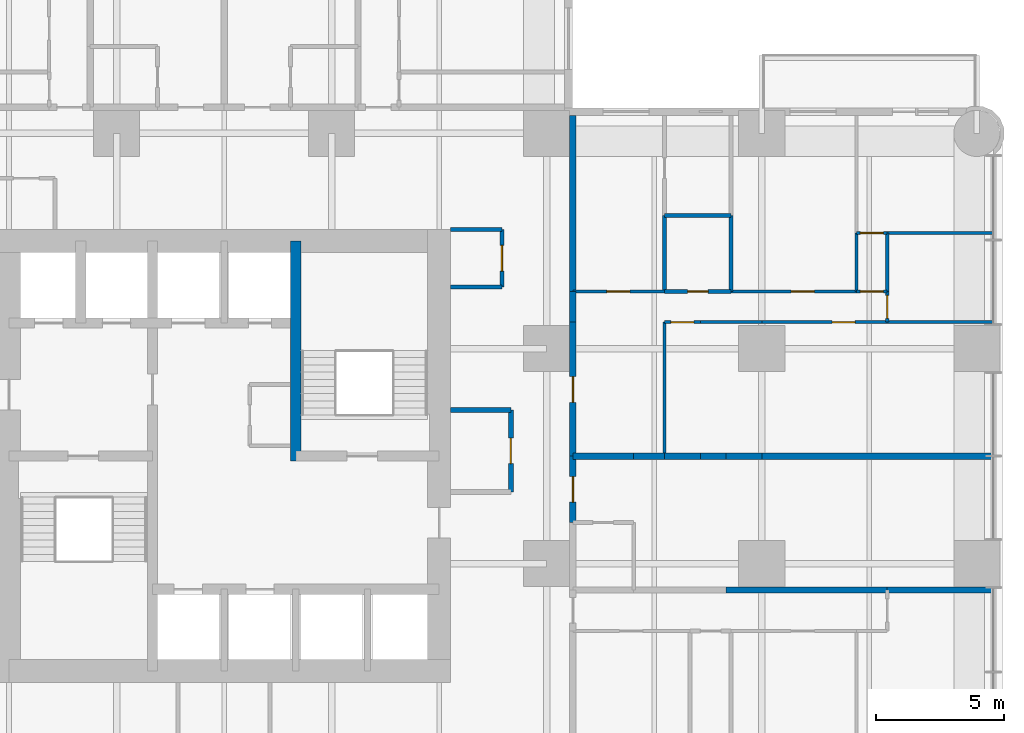
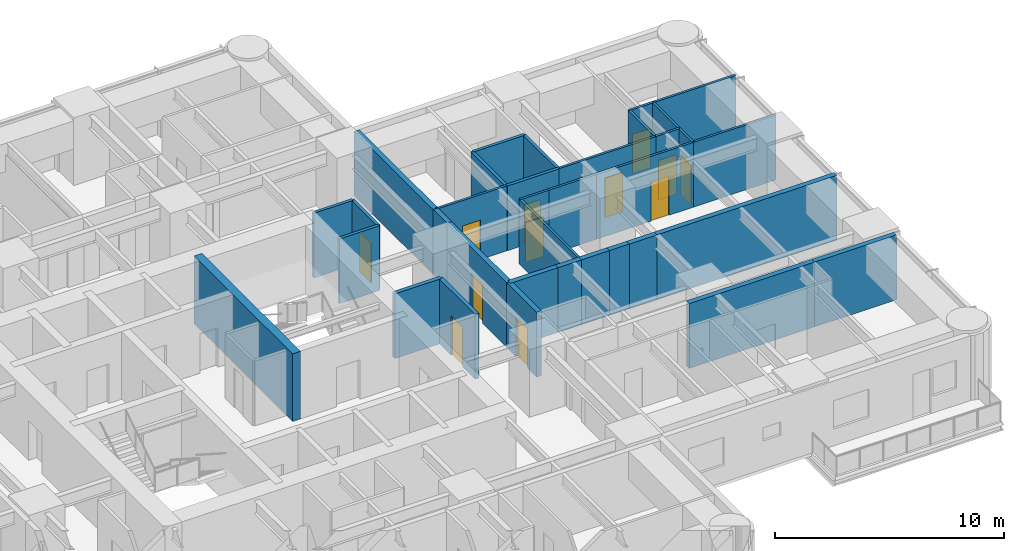
# One storey, part 10 of 14: 35 walls, 12 doors, 12 openings.
"""IFC4 building model written with IfcOpenShell, lengths in metres."""

from ifc_helpers import new_model, si_unit, direction, frame, frame_2d, origin, place, context, subcontext, project, spatial, rectangle, extrude, material, layer, layer_set, type_object, element, fill, save


model = new_model("IFC4")

# Units and contexts
model_context = context("Model", 3, precision=1e-05, world=origin(), true_north=direction((0.0, 1.0)))
body_context = subcontext(model_context, "Body", "Model", "MODEL_VIEW")
ifc_project = project(units=[si_unit("LENGTHUNIT", "METRE"), si_unit("AREAUNIT", "SQUARE_METRE"), si_unit("VOLUMEUNIT", "CUBIC_METRE"), si_unit("PLANEANGLEUNIT", "RADIAN"), si_unit("MASSUNIT", "GRAM", prefix="KILO")], contexts=[model_context])

# Site, building, storey
site_placement = place(None, origin())
site = spatial("IfcSite", under=ifc_project, at=site_placement, CompositionType="ELEMENT")
building_placement = place(site_placement, origin())
building = spatial("IfcBuilding", under=site, at=building_placement, Name="Torre Alcanfor", CompositionType="ELEMENT")
storey_placement = place(building_placement, frame((0.0, 0.0, 170.10009765625)))
storey = spatial("IfcBuildingStorey", under=building, at=storey_placement, Name="L44", CompositionType="ELEMENT", Elevation=170.10009765625)

# Wall, opening, door
ifc_material_1 = material(Name="Concrete block masonry, hollow blocks NMX-C-404 9 MPa", Category="masonry")
ifc_layer_1 = layer(ifc_material_1, 0.25)
ifc_layer_set_1 = layer_set([ifc_layer_1], Name="Apartment entrance wall 250 EI 60")
wall_type_1 = type_object("IfcWallType", Name="Apartment entrance wall 250 EI 60", PredefinedType="PARTITIONING", material=ifc_layer_set_1)
wall_1_placement = place(storey_placement, frame((43.02490234375, 34.62890625, 0.0), z_axis=(0.0, 0.0, 1.0), x_axis=(0.0, -1.0, 0.0)))
wall_1 = element("IfcWall", 1, at=wall_1_placement, inside=storey, type_object=wall_type_1, Name="Partition L44-CORR / L44-E1-ZAG", PredefinedType="PARTITIONING", context=body_context, shape_type="SweptSolid", body=[
    extrude(rectangle(XDim=5.22900390625, YDim=0.25, at=frame_2d((2.614501953125, 0.0))), origin(), (0.0, 0.0, 1.0), 3.449951171875),
])
opening_1_placement = place(wall_1_placement, frame((2.12890625, 0.0, 0.0)))
opening_1 = element("IfcOpeningElement", 2, at=opening_1_placement, cuts=wall_1, Name="Opening D-A1", PredefinedType="OPENING", context=body_context, shape_type="SweptSolid", body=[
    extrude(rectangle(XDim=1.0, YDim=2.10009765625, at=frame_2d((0.5, 1.050048828125))), frame((0.0, 0.135009765625, 0.0), z_axis=(0.0, -1.0, 0.0), x_axis=(1.0, 0.0, 0.0)), (0.0, 0.0, 1.0), 0.27001953125),
])
ifc_material_2 = material(Name="Galvanised steel sheet ASTM A653", Category="steel")
door_type_1 = type_object("IfcDoorType", Name="Apartment entrance door FD60 1000x2100", OperationType="SINGLE_SWING_LEFT", PredefinedType="DOOR", material=ifc_material_2)
door_1_placement = place(opening_1_placement, origin())
door_1 = element("IfcDoor", 3, at=door_1_placement, inside=storey, type_object=door_type_1, Name="Apartment entrance L44-E1", OperationType="SINGLE_SWING_RIGHT", OverallHeight=2.10009765625, OverallWidth=1.0, PredefinedType="DOOR", context=body_context, shape_type="SweptSolid", body=[
    extrude(rectangle(XDim=1.0, YDim=2.10009765625, at=frame_2d((0.5, 1.050048828125))), frame((0.0, 0.02490234375, 0.0), z_axis=(0.0, -1.0, 0.0), x_axis=(1.0, 0.0, 0.0)), (0.0, 0.0, 1.0), 0.050048828125),
])
fill(opening_1, door_1)

# Walls
wall_2_placement = place(storey_placement, frame((43.02490234375, 35.8291015625, 0.0), z_axis=(0.0, 0.0, 1.0), x_axis=(0.0, -1.0, 0.0)))
element("IfcWall", 4, at=wall_2_placement, inside=storey, type_object=wall_type_1, Name="Partition L44-CORR / L44-E1-HALL", PredefinedType="PARTITIONING", context=body_context, shape_type="SweptSolid", body=[
    extrude(rectangle(XDim=1.2001953125, YDim=0.25, at=frame_2d((0.60009765625, 0.0))), origin(), (0.0, 0.0, 1.0), 3.449951171875),
])
wall_3_placement = place(storey_placement, frame((43.02490234375, 42.699951171875, 0.0), z_axis=(0.0, 0.0, 1.0), x_axis=(0.0, -1.0, 0.0)))
element("IfcWall", 5, at=wall_3_placement, inside=storey, type_object=wall_type_1, Name="Partition L44-CORR / L44-E1-SERV", PredefinedType="PARTITIONING", context=body_context, shape_type="SweptSolid", body=[
    extrude(rectangle(XDim=6.870849609375, YDim=0.25, at=frame_2d((3.435546875, 0.0))), origin(), (0.0, 0.0, 1.0), 3.449951171875),
])

# Wall, opening, door
wall_4_placement = place(storey_placement, frame((43.02490234375, 29.39990234375, 0.0), z_axis=(0.0, 0.0, 1.0), x_axis=(0.0, -1.0, 0.0)))
wall_4 = element("IfcWall", 6, at=wall_4_placement, inside=storey, type_object=wall_type_1, Name="Partition L44-CORR / L44-E2A-FOYER", PredefinedType="PARTITIONING", context=body_context, shape_type="SweptSolid", body=[
    extrude(rectangle(XDim=2.599853515625, YDim=0.25, at=frame_2d((1.2998046875, 0.0))), origin(), (0.0, 0.0, 1.0), 3.449951171875),
])
opening_2_placement = place(wall_4_placement, frame((0.800048828125, 0.0, 0.0)))
opening_2 = element("IfcOpeningElement", 7, at=opening_2_placement, cuts=wall_4, Name="Opening D-A1", PredefinedType="OPENING", context=body_context, shape_type="SweptSolid", body=[
    extrude(rectangle(XDim=1.0, YDim=2.10009765625, at=frame_2d((0.5, 1.050048828125))), frame((0.0, 0.135009765625, 0.0), z_axis=(0.0, -1.0, 0.0), x_axis=(1.0, 0.0, 0.0)), (0.0, 0.0, 1.0), 0.27001953125),
])
door_2_placement = place(opening_2_placement, origin())
door_2 = element("IfcDoor", 8, at=door_2_placement, inside=storey, type_object=door_type_1, Name="Apartment entrance L44-E2A", OperationType="SINGLE_SWING_LEFT", OverallHeight=2.10009765625, OverallWidth=1.0, PredefinedType="DOOR", context=body_context, shape_type="SweptSolid", body=[
    extrude(rectangle(XDim=1.0, YDim=2.10009765625, at=frame_2d((0.5, 1.050048828125))), frame((0.0, 0.02490234375, 0.0), z_axis=(0.0, -1.0, 0.0), x_axis=(1.0, 0.0, 0.0)), (0.0, 0.0, 1.0), 0.050048828125),
])
fill(opening_2, door_2)

# Wall
ifc_material_3 = material(Name="Gypsum board on steel studs", Category="steel")
ifc_layer_2 = layer(ifc_material_3, 0.1201171875)
ifc_layer_set_2 = layer_set([ifc_layer_2], Name="Apartment partition 120")
wall_type_2 = type_object("IfcWallType", Name="Apartment partition 120", PredefinedType="PARTITIONING", material=ifc_layer_set_2)
wall_5_placement = place(storey_placement, frame((46.60009765625, 29.39990234375, 0.0), z_axis=(0.0, 0.0, 1.0), x_axis=(0.0, 1.0, 0.0)))
element("IfcWall", 9, at=wall_5_placement, inside=storey, type_object=wall_type_2, Name="Partition L44-E1-ZAG / L44-E1-LAUND", PredefinedType="PARTITIONING", context=body_context, shape_type="SweptSolid", body=[
    extrude(rectangle(XDim=5.22900390625, YDim=0.1201171875, at=frame_2d((2.614501953125, 0.0))), origin(), (0.0, 0.0, 1.0), 3.449951171875),
])

# Wall, opening, door
wall_6_placement = place(storey_placement, frame((48.0, 34.62890625, 0.0), z_axis=(0.0, 0.0, 1.0), x_axis=(-1.0, 0.0, 0.0)))
wall_6 = element("IfcWall", 10, at=wall_6_placement, inside=storey, type_object=wall_type_2, Name="Partition L44-E1-LAUND / L44-E1-HALL", PredefinedType="PARTITIONING", context=body_context, shape_type="SweptSolid", body=[
    extrude(rectangle(XDim=1.39990234375, YDim=0.1201171875, at=frame_2d((0.699951171875, 0.0))), origin(), (0.0, 0.0, 1.0), 3.449951171875),
])
opening_3_placement = place(wall_6_placement, frame((0.25, 0.0, 0.0)))
opening_3 = element("IfcOpeningElement", 11, at=opening_3_placement, cuts=wall_6, Name="Opening D-R1", PredefinedType="OPENING", context=body_context, shape_type="SweptSolid", body=[
    extrude(rectangle(XDim=0.89990234375, YDim=2.10009765625, at=frame_2d((0.449951171875, 1.050048828125))), frame((0.0, 0.070068359375, 0.0), z_axis=(0.0, -1.0, 0.0), x_axis=(1.0, 0.0, 0.0)), (0.0, 0.0, 1.0), 0.14013671875),
])
ifc_material_4 = material(Name="Timber", Category="wood")
door_type_2 = type_object("IfcDoorType", Name="Internal door 900x2100", OperationType="SINGLE_SWING_LEFT", PredefinedType="DOOR", material=ifc_material_4)
door_3_placement = place(opening_3_placement, origin())
door_3 = element("IfcDoor", 12, at=door_3_placement, inside=storey, type_object=door_type_2, Name="Door L44-E1 laund", OperationType="SINGLE_SWING_LEFT", OverallHeight=2.10009765625, OverallWidth=0.89990234375, PredefinedType="DOOR", context=body_context, shape_type="SweptSolid", body=[
    extrude(rectangle(XDim=0.89990234375, YDim=2.10009765625, at=frame_2d((0.449951171875, 1.050048828125))), frame((0.0, 0.02490234375, 0.0), z_axis=(0.0, -1.0, 0.0), x_axis=(1.0, 0.0, 0.0)), (0.0, 0.0, 1.0), 0.050048828125),
])
fill(opening_3, door_3)

# Wall
wall_7_placement = place(storey_placement, frame((50.39990234375, 34.62890625, 0.0), z_axis=(0.0, 0.0, 1.0), x_axis=(-1.0, 0.0, 0.0)))
element("IfcWall", 13, at=wall_7_placement, inside=storey, type_object=wall_type_2, Name="Partition L44-E1-KITCHEN / L44-E1-HALL", PredefinedType="PARTITIONING", context=body_context, shape_type="SweptSolid", body=[
    extrude(rectangle(XDim=2.39990234375, YDim=0.1201171875, at=frame_2d((1.199951171875, 0.0))), origin(), (0.0, 0.0, 1.0), 3.449951171875),
])

# Wall, opening, door
wall_8_placement = place(storey_placement, frame((55.300048828125, 34.62890625, 0.0), z_axis=(0.0, 0.0, 1.0), x_axis=(-1.0, 0.0, 0.0)))
wall_8 = element("IfcWall", 14, at=wall_8_placement, inside=storey, type_object=wall_type_2, Name="Partition L44-E1-LIVING / L44-E1-HALL", PredefinedType="PARTITIONING", context=body_context, shape_type="SweptSolid", body=[
    extrude(rectangle(XDim=4.900146484375, YDim=0.1201171875, at=frame_2d((2.4501953125, 0.0))), origin(), (0.0, 0.0, 1.0), 3.449951171875),
])
opening_4_placement = place(wall_8_placement, frame((1.25, 0.0, 0.0)))
opening_4 = element("IfcOpeningElement", 15, at=opening_4_placement, cuts=wall_8, Name="Opening D-R1", PredefinedType="OPENING", context=body_context, shape_type="SweptSolid", body=[
    extrude(rectangle(XDim=0.89990234375, YDim=2.10009765625, at=frame_2d((0.449951171875, 1.050048828125))), frame((0.0, 0.070068359375, 0.0), z_axis=(0.0, -1.0, 0.0), x_axis=(1.0, 0.0, 0.0)), (0.0, 0.0, 1.0), 0.14013671875),
])
door_4_placement = place(opening_4_placement, origin())
door_4 = element("IfcDoor", 16, at=door_4_placement, inside=storey, type_object=door_type_2, Name="Door L44-E1 living", OperationType="SINGLE_SWING_RIGHT", OverallHeight=2.10009765625, OverallWidth=0.89990234375, PredefinedType="DOOR", context=body_context, shape_type="SweptSolid", body=[
    extrude(rectangle(XDim=0.89990234375, YDim=2.10009765625, at=frame_2d((0.449951171875, 1.050048828125))), frame((0.0, 0.02490234375, 0.0), z_axis=(0.0, -1.0, 0.0), x_axis=(1.0, 0.0, 0.0)), (0.0, 0.0, 1.0), 0.050048828125),
])
fill(opening_4, door_4)

# Wall
wall_9_placement = place(storey_placement, frame((59.449951171875, 34.62890625, 0.0), z_axis=(0.0, 0.0, 1.0), x_axis=(-1.0, 0.0, 0.0)))
element("IfcWall", 17, at=wall_9_placement, inside=storey, type_object=wall_type_2, Name="Partition L44-E1-LIVING / L44-E1-BED2", PredefinedType="PARTITIONING", context=body_context, shape_type="SweptSolid", body=[
    extrude(rectangle(XDim=4.14990234375, YDim=0.1201171875, at=frame_2d((2.074951171875, 0.0))), origin(), (0.0, 0.0, 1.0), 3.449951171875),
])

# Wall, opening, door
wall_10_placement = place(storey_placement, frame((46.60009765625, 35.8291015625, 0.0), z_axis=(0.0, 0.0, 1.0), x_axis=(-1.0, 0.0, 0.0)))
wall_10 = element("IfcWall", 18, at=wall_10_placement, inside=storey, type_object=wall_type_2, Name="Partition L44-E1-HALL / L44-E1-SERV", PredefinedType="PARTITIONING", context=body_context, shape_type="SweptSolid", body=[
    extrude(rectangle(XDim=3.5751953125, YDim=0.1201171875, at=frame_2d((1.78759765625, 0.0))), origin(), (0.0, 0.0, 1.0), 3.449951171875),
])
opening_5_placement = place(wall_10_placement, frame((1.35009765625, 0.0, 0.0)))
opening_5 = element("IfcOpeningElement", 19, at=opening_5_placement, cuts=wall_10, Name="Opening D-R1", PredefinedType="OPENING", context=body_context, shape_type="SweptSolid", body=[
    extrude(rectangle(XDim=0.89990234375, YDim=2.10009765625, at=frame_2d((0.449951171875, 1.050048828125))), frame((0.0, 0.070068359375, 0.0), z_axis=(0.0, -1.0, 0.0), x_axis=(1.0, 0.0, 0.0)), (0.0, 0.0, 1.0), 0.14013671875),
])
door_5_placement = place(opening_5_placement, frame((0.89990234375, 0.0, 0.0), z_axis=(0.0, 0.0, 1.0), x_axis=(-1.0, 0.0, 0.0)))
door_5 = element("IfcDoor", 20, at=door_5_placement, inside=storey, type_object=door_type_2, Name="Door L44-E1 serv", OperationType="SINGLE_SWING_LEFT", OverallHeight=2.10009765625, OverallWidth=0.89990234375, PredefinedType="DOOR", context=body_context, shape_type="SweptSolid", body=[
    extrude(rectangle(XDim=0.89990234375, YDim=2.10009765625, at=frame_2d((0.449951171875, 1.050048828125))), frame((0.0, 0.025146484375, 0.0), z_axis=(0.0, -1.0, 0.0), x_axis=(1.0, 0.0, 0.0)), (0.0, 0.0, 1.0), 0.050048828125),
])
fill(opening_5, door_5)

wall_11_placement = place(storey_placement, frame((54.10009765625, 35.8291015625, 0.0), z_axis=(0.0, 0.0, 1.0), x_axis=(-1.0, 0.0, 0.0)))
wall_11 = element("IfcWall", 21, at=wall_11_placement, inside=storey, type_object=wall_type_2, Name="Partition L44-E1-HALL / L44-E1-BED3", PredefinedType="PARTITIONING", context=body_context, shape_type="SweptSolid", body=[
    extrude(rectangle(XDim=4.900146484375, YDim=0.1201171875, at=frame_2d((2.4501953125, 0.0))), origin(), (0.0, 0.0, 1.0), 3.449951171875),
])
opening_6_placement = place(wall_11_placement, frame((1.64990234375, 0.0, 0.0)))
opening_6 = element("IfcOpeningElement", 22, at=opening_6_placement, cuts=wall_11, Name="Opening D-R1", PredefinedType="OPENING", context=body_context, shape_type="SweptSolid", body=[
    extrude(rectangle(XDim=0.89990234375, YDim=2.10009765625, at=frame_2d((0.449951171875, 1.050048828125))), frame((0.0, 0.070068359375, 0.0), z_axis=(0.0, -1.0, 0.0), x_axis=(1.0, 0.0, 0.0)), (0.0, 0.0, 1.0), 0.14013671875),
])
door_6_placement = place(opening_6_placement, frame((0.89990234375, 0.0, 0.0), z_axis=(0.0, 0.0, 1.0), x_axis=(-1.0, 0.0, 0.0)))
door_6 = element("IfcDoor", 23, at=door_6_placement, inside=storey, type_object=door_type_2, Name="Door L44-E1 bed3", OperationType="SINGLE_SWING_RIGHT", OverallHeight=2.10009765625, OverallWidth=0.89990234375, PredefinedType="DOOR", context=body_context, shape_type="SweptSolid", body=[
    extrude(rectangle(XDim=0.89990234375, YDim=2.10009765625, at=frame_2d((0.449951171875, 1.050048828125))), frame((0.0, 0.025146484375, 0.0), z_axis=(0.0, -1.0, 0.0), x_axis=(1.0, 0.0, 0.0)), (0.0, 0.0, 1.0), 0.050048828125),
])
fill(opening_6, door_6)

wall_12_placement = place(storey_placement, frame((55.300048828125, 35.8291015625, 0.0), z_axis=(0.0, 0.0, 1.0), x_axis=(-1.0, 0.0, 0.0)))
wall_12 = element("IfcWall", 24, at=wall_12_placement, inside=storey, type_object=wall_type_2, Name="Partition L44-E1-HALL / L44-E1-VEST", PredefinedType="PARTITIONING", context=body_context, shape_type="SweptSolid", body=[
    extrude(rectangle(XDim=1.199951171875, YDim=0.1201171875, at=frame_2d((0.60009765625, 0.0))), origin(), (0.0, 0.0, 1.0), 3.449951171875),
])
opening_7_placement = place(wall_12_placement, frame((0.14990234375, 0.0, 0.0)))
opening_7 = element("IfcOpeningElement", 25, at=opening_7_placement, cuts=wall_12, Name="Opening D-R1", PredefinedType="OPENING", context=body_context, shape_type="SweptSolid", body=[
    extrude(rectangle(XDim=0.89990234375, YDim=2.10009765625, at=frame_2d((0.449951171875, 1.050048828125))), frame((0.0, 0.070068359375, 0.0), z_axis=(0.0, -1.0, 0.0), x_axis=(1.0, 0.0, 0.0)), (0.0, 0.0, 1.0), 0.14013671875),
])
door_7_placement = place(opening_7_placement, frame((0.89990234375, 0.0, 0.0), z_axis=(0.0, 0.0, 1.0), x_axis=(-1.0, 0.0, 0.0)))
door_7 = element("IfcDoor", 26, at=door_7_placement, inside=storey, type_object=door_type_2, Name="Door L44-E1 vest", OperationType="SINGLE_SWING_RIGHT", OverallHeight=2.10009765625, OverallWidth=0.89990234375, PredefinedType="DOOR", context=body_context, shape_type="SweptSolid", body=[
    extrude(rectangle(XDim=0.89990234375, YDim=2.10009765625, at=frame_2d((0.449951171875, 1.050048828125))), frame((0.0, 0.025146484375, 0.0), z_axis=(0.0, -1.0, 0.0), x_axis=(1.0, 0.0, 0.0)), (0.0, 0.0, 1.0), 0.050048828125),
])
fill(opening_7, door_7)

wall_13_placement = place(storey_placement, frame((55.300048828125, 34.62890625, 0.0), z_axis=(0.0, 0.0, 1.0), x_axis=(0.0, 1.0, 0.0)))
wall_13 = element("IfcWall", 27, at=wall_13_placement, inside=storey, type_object=wall_type_2, Name="Partition L44-E1-HALL / L44-E1-BED2", PredefinedType="PARTITIONING", context=body_context, shape_type="SweptSolid", body=[
    extrude(rectangle(XDim=1.2001953125, YDim=0.1201171875, at=frame_2d((0.60009765625, 0.0))), origin(), (0.0, 0.0, 1.0), 3.449951171875),
])
opening_8_placement = place(wall_13_placement, frame((0.15087890625, 0.0, 0.0)))
opening_8 = element("IfcOpeningElement", 28, at=opening_8_placement, cuts=wall_13, Name="Opening D-R1", PredefinedType="OPENING", context=body_context, shape_type="SweptSolid", body=[
    extrude(rectangle(XDim=0.89990234375, YDim=2.10009765625, at=frame_2d((0.449951171875, 1.050048828125))), frame((0.0, 0.070068359375, 0.0), z_axis=(0.0, -1.0, 0.0), x_axis=(1.0, 0.0, 0.0)), (0.0, 0.0, 1.0), 0.14013671875),
])
door_8_placement = place(opening_8_placement, frame((0.89990234375, 0.0, 0.0), z_axis=(0.0, 0.0, 1.0), x_axis=(-1.0, 0.0, 0.0)))
door_8 = element("IfcDoor", 29, at=door_8_placement, inside=storey, type_object=door_type_2, Name="Door L44-E1 bed2", OperationType="SINGLE_SWING_RIGHT", OverallHeight=2.10009765625, OverallWidth=0.89990234375, PredefinedType="DOOR", context=body_context, shape_type="SweptSolid", body=[
    extrude(rectangle(XDim=0.89990234375, YDim=2.10009765625, at=frame_2d((0.449951171875, 1.050048828125))), frame((0.0, 0.025146484375, 0.0), z_axis=(0.0, -1.0, 0.0), x_axis=(1.0, 0.0, 0.0)), (0.0, 0.0, 1.0), 0.050048828125),
])
fill(opening_8, door_8)

# Walls
for number, where, z_axis, x_axis, name in (
    (30, (54.10009765625, 35.8291015625, 0.0), (0.0, 0.0, 1.0), (0.0, 1.0, 0.0), "Partition L44-E1-BED3 / L44-E1-VEST"),
    (31, (55.300048828125, 35.8291015625, 0.0), (0.0, 0.0, 1.0), (0.0, 1.0, 0.0), "Partition L44-E1-VEST / L44-E1-BED2"),
):
    element("IfcWall", number, at=place(storey_placement, frame(where, z_axis=z_axis, x_axis=x_axis)), inside=storey, type_object=wall_type_2, Name=name, PredefinedType="PARTITIONING", context=body_context, shape_type="SweptSolid", body=[
        extrude(rectangle(XDim=2.284912109375, YDim=0.1201171875, at=frame_2d((1.142578125, 0.0))), origin(), (0.0, 0.0, 1.0), 3.449951171875),
    ])

# Wall, opening, door
wall_14_placement = place(storey_placement, frame((55.300048828125, 38.114013671875, 0.0), z_axis=(0.0, 0.0, 1.0), x_axis=(-1.0, 0.0, 0.0)))
wall_14 = element("IfcWall", 32, at=wall_14_placement, inside=storey, type_object=wall_type_2, Name="Partition L44-E1-VEST / L44-E1-MASTER", PredefinedType="PARTITIONING", context=body_context, shape_type="SweptSolid", body=[
    extrude(rectangle(XDim=1.199951171875, YDim=0.1201171875, at=frame_2d((0.60009765625, 0.0))), origin(), (0.0, 0.0, 1.0), 3.449951171875),
])
opening_9_placement = place(wall_14_placement, frame((0.14990234375, 0.0, 0.0)))
opening_9 = element("IfcOpeningElement", 33, at=opening_9_placement, cuts=wall_14, Name="Opening D-R1", PredefinedType="OPENING", context=body_context, shape_type="SweptSolid", body=[
    extrude(rectangle(XDim=0.89990234375, YDim=2.10009765625, at=frame_2d((0.449951171875, 1.050048828125))), frame((0.0, 0.070068359375, 0.0), z_axis=(0.0, -1.0, 0.0), x_axis=(1.0, 0.0, 0.0)), (0.0, 0.0, 1.0), 0.14013671875),
])
door_9_placement = place(opening_9_placement, origin())
door_9 = element("IfcDoor", 34, at=door_9_placement, inside=storey, type_object=door_type_2, Name="Door L44-E1 master", OperationType="SINGLE_SWING_LEFT", OverallHeight=2.10009765625, OverallWidth=0.89990234375, PredefinedType="DOOR", context=body_context, shape_type="SweptSolid", body=[
    extrude(rectangle(XDim=0.89990234375, YDim=2.10009765625, at=frame_2d((0.449951171875, 1.050048828125))), frame((0.0, 0.02490234375, 0.0), z_axis=(0.0, -1.0, 0.0), x_axis=(1.0, 0.0, 0.0)), (0.0, 0.0, 1.0), 0.050048828125),
])
fill(opening_9, door_9)

# Walls
wall_15_placement = place(storey_placement, frame((59.449951171875, 38.114013671875, 0.0), z_axis=(0.0, 0.0, 1.0), x_axis=(-1.0, 0.0, 0.0)))
element("IfcWall", 35, at=wall_15_placement, inside=storey, type_object=wall_type_2, Name="Partition L44-E1-BED2 / L44-E1-MASTER", PredefinedType="PARTITIONING", context=body_context, shape_type="SweptSolid", body=[
    extrude(rectangle(XDim=4.14990234375, YDim=0.1201171875, at=frame_2d((2.074951171875, 0.0))), origin(), (0.0, 0.0, 1.0), 3.449951171875),
])
ifc_material_5 = material(Name="Concrete f'c 70 MPa", Category="concrete")
ifc_layer_3 = layer(ifc_material_5, 0.39990234375)
ifc_layer_set_3 = layer_set([ifc_layer_3], Name="Core inner wall 400 f'c70")
wall_type_3 = type_object("IfcWallType", Name="Core inner wall 400 f'c70", PredefinedType="SHEAR", material=ifc_layer_set_3)
wall_16_placement = place(storey_placement, frame((32.199951171875, 29.199951171875, 0.0), z_axis=(0.0, 0.0, 1.0), x_axis=(0.0, 1.0, 0.0)))
element("IfcWall", 36, at=wall_16_placement, inside=storey, type_object=wall_type_3, Name="Core wall X322N L44", PredefinedType="SHEAR", context=body_context, shape_type="SweptSolid", body=[
    extrude(rectangle(XDim=8.60009765625, YDim=0.39990234375, at=frame_2d((4.300048828125, 0.0))), origin(), (0.0, 0.0, 1.0), 3.599853515625),
])
ifc_material_6 = material(Name="Concrete block masonry, hollow blocks NMX-C-404 9 MPa", Category="masonry")
ifc_layer_4 = layer(ifc_material_6, 0.25)
ifc_layer_set_4 = layer_set([ifc_layer_4], Name="Party wall 250 EI 60")
wall_type_4 = type_object("IfcWallType", Name="Party wall 250 EI 60", PredefinedType="PARTITIONING", material=ifc_layer_set_4)
wall_17_placement = place(storey_placement, frame((43.02490234375, 29.39990234375, 0.0), z_axis=(0.0, 0.0, 1.0), x_axis=(1.0, 0.0, 0.0)))
element("IfcWall", 37, at=wall_17_placement, inside=storey, type_object=wall_type_4, Name="Partition L44-E1-ZAG / L44-E2A-FOYER", PredefinedType="PARTITIONING", context=body_context, shape_type="SweptSolid", body=[
    extrude(rectangle(XDim=2.375, YDim=0.25, at=frame_2d((1.1875, 0.0))), origin(), (0.0, 0.0, 1.0), 3.449951171875),
])
wall_18_placement = place(storey_placement, frame((45.39990234375, 29.39990234375, 0.0), z_axis=(0.0, 0.0, 1.0), x_axis=(1.0, 0.0, 0.0)))
element("IfcWall", 38, at=wall_18_placement, inside=storey, type_object=wall_type_4, Name="Partition L44-E1-ZAG / L44-E2A-KITCHEN", PredefinedType="PARTITIONING", context=body_context, shape_type="SweptSolid", body=[
    extrude(rectangle(XDim=1.2001953125, YDim=0.25, at=frame_2d((0.60009765625, 0.0))), origin(), (0.0, 0.0, 1.0), 3.449951171875),
])
wall_19_placement = place(storey_placement, frame((46.60009765625, 29.39990234375, 0.0), z_axis=(0.0, 0.0, 1.0), x_axis=(1.0, 0.0, 0.0)))
element("IfcWall", 39, at=wall_19_placement, inside=storey, type_object=wall_type_4, Name="Partition L44-E1-LAUND / L44-E2A-KITCHEN", PredefinedType="PARTITIONING", context=body_context, shape_type="SweptSolid", body=[
    extrude(rectangle(XDim=1.39990234375, YDim=0.25, at=frame_2d((0.699951171875, 0.0))), origin(), (0.0, 0.0, 1.0), 3.449951171875),
])
wall_20_placement = place(storey_placement, frame((48.0, 29.39990234375, 0.0), z_axis=(0.0, 0.0, 1.0), x_axis=(1.0, 0.0, 0.0)))
element("IfcWall", 40, at=wall_20_placement, inside=storey, type_object=wall_type_4, Name="Partition L44-E1-KITCHEN / L44-E2A-KITCHEN", PredefinedType="PARTITIONING", context=body_context, shape_type="SweptSolid", body=[
    extrude(rectangle(XDim=1.0, YDim=0.25, at=frame_2d((0.5, 0.0))), origin(), (0.0, 0.0, 1.0), 3.449951171875),
])
wall_21_placement = place(storey_placement, frame((49.0, 29.39990234375, 0.0), z_axis=(0.0, 0.0, 1.0), x_axis=(1.0, 0.0, 0.0)))
element("IfcWall", 41, at=wall_21_placement, inside=storey, type_object=wall_type_4, Name="Partition L44-E1-KITCHEN / L44-E2A-STUDIO", PredefinedType="PARTITIONING", context=body_context, shape_type="SweptSolid", body=[
    extrude(rectangle(XDim=1.39990234375, YDim=0.25, at=frame_2d((0.699951171875, 0.0))), origin(), (0.0, 0.0, 1.0), 3.449951171875),
])
wall_22_placement = place(storey_placement, frame((50.39990234375, 29.39990234375, 0.0), z_axis=(0.0, 0.0, 1.0), x_axis=(1.0, 0.0, 0.0)))
element("IfcWall", 42, at=wall_22_placement, inside=storey, type_object=wall_type_4, Name="Partition L44-E1-LIVING / L44-E2A-STUDIO", PredefinedType="PARTITIONING", context=body_context, shape_type="SweptSolid", body=[
    extrude(rectangle(XDim=9.050048828125, YDim=0.25, at=frame_2d((4.52490234375, 0.0))), origin(), (0.0, 0.0, 1.0), 3.449951171875),
])
wall_23_placement = place(storey_placement, frame((55.300048828125, 24.1708984375, 0.0), z_axis=(0.0, 0.0, 1.0), x_axis=(-1.0, 0.0, 0.0)))
element("IfcWall", 43, at=wall_23_placement, inside=storey, type_object=wall_type_4, Name="Partition L44-E2A-STUDIO / L44-E2B-HALL", PredefinedType="PARTITIONING", context=body_context, shape_type="SweptSolid", body=[
    extrude(rectangle(XDim=6.300048828125, YDim=0.25, at=frame_2d((3.14990234375, 0.0))), origin(), (0.0, 0.0, 1.0), 3.449951171875),
])
wall_24_placement = place(storey_placement, frame((59.449951171875, 24.1708984375, 0.0), z_axis=(0.0, 0.0, 1.0), x_axis=(-1.0, 0.0, 0.0)))
element("IfcWall", 44, at=wall_24_placement, inside=storey, type_object=wall_type_4, Name="Partition L44-E2A-STUDIO / L44-E2B-LIVING", PredefinedType="PARTITIONING", context=body_context, shape_type="SweptSolid", body=[
    extrude(rectangle(XDim=4.14990234375, YDim=0.25, at=frame_2d((2.074951171875, 0.0))), origin(), (0.0, 0.0, 1.0), 3.449951171875),
])

# Wall, opening, door
ifc_material_7 = material(Name="Concrete block masonry, hollow blocks NMX-C-404 9 MPa", Category="masonry")
ifc_layer_5 = layer(ifc_material_7, 0.199951171875)
ifc_layer_set_5 = layer_set([ifc_layer_5], Name="Plant room wall 200 EI 60")
wall_type_5 = type_object("IfcWallType", Name="Plant room wall 200 EI 60", PredefinedType="PARTITIONING", material=ifc_layer_set_5)
wall_25_placement = place(storey_placement, frame((40.60009765625, 28.0, 0.0), z_axis=(0.0, 0.0, 1.0), x_axis=(0.0, 1.0, 0.0)))
wall_25 = element("IfcWall", 45, at=wall_25_placement, inside=storey, type_object=wall_type_5, Name="Partition L44-CORR / L44-G02", PredefinedType="PARTITIONING", context=body_context, shape_type="SweptSolid", body=[
    extrude(rectangle(XDim=3.199951171875, YDim=0.199951171875, at=frame_2d((1.60009765625, 0.0))), origin(), (0.0, 0.0, 1.0), 3.449951171875),
])
opening_10_placement = place(wall_25_placement, frame((1.10009765625, 0.0, 0.0)))
opening_10 = element("IfcOpeningElement", 46, at=opening_10_placement, cuts=wall_25, Name="Opening D-K1", PredefinedType="OPENING", context=body_context, shape_type="SweptSolid", body=[
    extrude(rectangle(XDim=1.0, YDim=2.10009765625, at=frame_2d((0.5, 1.050048828125))), frame((0.0, 0.10986328125, 0.0), z_axis=(0.0, -1.0, 0.0), x_axis=(1.0, 0.0, 0.0)), (0.0, 0.0, 1.0), 0.219970703125),
])
ifc_material_8 = material(Name="Galvanised steel sheet ASTM A653", Category="steel")
door_type_3 = type_object("IfcDoorType", Name="Core room door FD60 1000x2100", OperationType="SINGLE_SWING_LEFT", PredefinedType="DOOR", material=ifc_material_8)
door_10_placement = place(opening_10_placement, origin())
door_10 = element("IfcDoor", 47, at=door_10_placement, inside=storey, type_object=door_type_3, Name="Door L44-G02 refuse and recycling store", OperationType="SINGLE_SWING_LEFT", OverallHeight=2.10009765625, OverallWidth=1.0, PredefinedType="DOOR", context=body_context, shape_type="SweptSolid", body=[
    extrude(rectangle(XDim=1.0, YDim=2.10009765625, at=frame_2d((0.5, 1.050048828125))), frame((0.0, 0.02490234375, 0.0), z_axis=(0.0, -1.0, 0.0), x_axis=(1.0, 0.0, 0.0)), (0.0, 0.0, 1.0), 0.050048828125),
])
fill(opening_10, door_10)

# Walls
wall_26_placement = place(storey_placement, frame((40.60009765625, 31.199951171875, 0.0), z_axis=(0.0, 0.0, 1.0), x_axis=(-1.0, 0.0, 0.0)))
element("IfcWall", 48, at=wall_26_placement, inside=storey, type_object=wall_type_5, Name="Partition L44-CORR / L44-G02", PredefinedType="PARTITIONING", context=body_context, shape_type="SweptSolid", body=[
    extrude(rectangle(XDim=2.35009765625, YDim=0.199951171875, at=frame_2d((1.175048828125, 0.0))), origin(), (0.0, 0.0, 1.0), 3.449951171875),
])
ifc_material_9 = material(Name="Concrete block masonry, hollow blocks NMX-C-404 9 MPa", Category="masonry")
ifc_layer_6 = layer(ifc_material_9, 0.14990234375)
ifc_layer_set_6 = layer_set([ifc_layer_6], Name="Residents' room partition 150")
wall_type_6 = type_object("IfcWallType", Name="Residents' room partition 150", PredefinedType="PARTITIONING", material=ifc_layer_set_6)
wall_27_placement = place(storey_placement, frame((38.25, 36.0, 0.0), z_axis=(0.0, 0.0, 1.0), x_axis=(1.0, 0.0, 0.0)))
element("IfcWall", 49, at=wall_27_placement, inside=storey, type_object=wall_type_6, Name="Partition L44-CORR / L44-G03", PredefinedType="PARTITIONING", context=body_context, shape_type="SweptSolid", body=[
    extrude(rectangle(XDim=2.0, YDim=0.14990234375, at=frame_2d((1.0, 0.0))), origin(), (0.0, 0.0, 1.0), 3.449951171875),
])

# Wall, opening, door
wall_28_placement = place(storey_placement, frame((40.25, 36.0, 0.0), z_axis=(0.0, 0.0, 1.0), x_axis=(0.0, 1.0, 0.0)))
wall_28 = element("IfcWall", 50, at=wall_28_placement, inside=storey, type_object=wall_type_6, Name="Partition L44-CORR / L44-G03", PredefinedType="PARTITIONING", context=body_context, shape_type="SweptSolid", body=[
    extrude(rectangle(XDim=2.25, YDim=0.14990234375, at=frame_2d((1.125, 0.0))), origin(), (0.0, 0.0, 1.0), 3.449951171875),
])
opening_11_placement = place(wall_28_placement, frame((0.625, 0.0, 0.0)))
opening_11 = element("IfcOpeningElement", 51, at=opening_11_placement, cuts=wall_28, Name="Opening D-M1", PredefinedType="OPENING", context=body_context, shape_type="SweptSolid", body=[
    extrude(rectangle(XDim=1.0, YDim=2.10009765625, at=frame_2d((0.5, 1.050048828125))), frame((0.0, 0.0849609375, 0.0), z_axis=(0.0, -1.0, 0.0), x_axis=(1.0, 0.0, 0.0)), (0.0, 0.0, 1.0), 0.169921875),
])
ifc_material_10 = material(Name="Timber", Category="wood")
door_type_4 = type_object("IfcDoorType", Name="Residents' room door 1000x2100", OperationType="SINGLE_SWING_LEFT", PredefinedType="DOOR", material=ifc_material_10)
door_11_placement = place(opening_11_placement, origin())
door_11 = element("IfcDoor", 52, at=door_11_placement, inside=storey, type_object=door_type_4, Name="Door L44-G03 cleaners' store", OperationType="SINGLE_SWING_LEFT", OverallHeight=2.10009765625, OverallWidth=1.0, PredefinedType="DOOR", context=body_context, shape_type="SweptSolid", body=[
    extrude(rectangle(XDim=1.0, YDim=2.10009765625, at=frame_2d((0.5, 1.050048828125))), frame((0.0, 0.02490234375, 0.0), z_axis=(0.0, -1.0, 0.0), x_axis=(1.0, 0.0, 0.0)), (0.0, 0.0, 1.0), 0.050048828125),
])
fill(opening_11, door_11)

# Wall
wall_29_placement = place(storey_placement, frame((40.25, 38.25, 0.0), z_axis=(0.0, 0.0, 1.0), x_axis=(-1.0, 0.0, 0.0)))
element("IfcWall", 53, at=wall_29_placement, inside=storey, type_object=wall_type_6, Name="Partition L44-CORR / L44-G03", PredefinedType="PARTITIONING", context=body_context, shape_type="SweptSolid", body=[
    extrude(rectangle(XDim=2.0, YDim=0.14990234375, at=frame_2d((1.0, 0.0))), origin(), (0.0, 0.0, 1.0), 3.449951171875),
])

# Wall, opening, door
ifc_material_11 = material(Name="Cement board on steel studs", Category="steel")
ifc_layer_7 = layer(ifc_material_11, 0.14990234375)
ifc_layer_set_7 = layer_set([ifc_layer_7], Name="Wet area partition 150")
wall_type_7 = type_object("IfcWallType", Name="Wet area partition 150", PredefinedType="PARTITIONING", material=ifc_layer_set_7)
wall_30_placement = place(storey_placement, frame((49.199951171875, 35.8291015625, 0.0), z_axis=(0.0, 0.0, 1.0), x_axis=(-1.0, 0.0, 0.0)))
wall_30 = element("IfcWall", 54, at=wall_30_placement, inside=storey, type_object=wall_type_7, Name="Partition L44-E1-HALL / L44-E1-BATH1", PredefinedType="PARTITIONING", context=body_context, shape_type="SweptSolid", body=[
    extrude(rectangle(XDim=2.599853515625, YDim=0.14990234375, at=frame_2d((1.2998046875, 0.0))), origin(), (0.0, 0.0, 1.0), 3.449951171875),
])
opening_12_placement = place(wall_30_placement, frame((0.89990234375, 0.0, 0.0)))
opening_12 = element("IfcOpeningElement", 55, at=opening_12_placement, cuts=wall_30, Name="Opening D-R2", PredefinedType="OPENING", context=body_context, shape_type="SweptSolid", body=[
    extrude(rectangle(XDim=0.800048828125, YDim=2.10009765625, at=frame_2d((0.39990234375, 1.050048828125))), frame((0.0, 0.0849609375, 0.0), z_axis=(0.0, -1.0, 0.0), x_axis=(1.0, 0.0, 0.0)), (0.0, 0.0, 1.0), 0.169921875),
])
ifc_material_12 = material(Name="Timber", Category="wood")
door_type_5 = type_object("IfcDoorType", Name="Bathroom door 800x2100", OperationType="SINGLE_SWING_LEFT", PredefinedType="DOOR", material=ifc_material_12)
door_12_placement = place(opening_12_placement, frame((0.800048828125, 0.0, 0.0), z_axis=(0.0, 0.0, 1.0), x_axis=(-1.0, 0.0, 0.0)))
door_12 = element("IfcDoor", 56, at=door_12_placement, inside=storey, type_object=door_type_5, Name="Door L44-E1 bath1", OperationType="SINGLE_SWING_RIGHT", OverallHeight=2.10009765625, OverallWidth=0.800048828125, PredefinedType="DOOR", context=body_context, shape_type="SweptSolid", body=[
    extrude(rectangle(XDim=0.800048828125, YDim=2.10009765625, at=frame_2d((0.400146484375, 1.050048828125))), frame((0.0, 0.025146484375, 0.0), z_axis=(0.0, -1.0, 0.0), x_axis=(1.0, 0.0, 0.0)), (0.0, 0.0, 1.0), 0.050048828125),
])
fill(opening_12, door_12)

# Walls
wall_31_placement = place(storey_placement, frame((46.60009765625, 35.8291015625, 0.0), z_axis=(0.0, 0.0, 1.0), x_axis=(0.0, 1.0, 0.0)))
element("IfcWall", 57, at=wall_31_placement, inside=storey, type_object=wall_type_7, Name="Partition L44-E1-SERV / L44-E1-BATH1", PredefinedType="PARTITIONING", context=body_context, shape_type="SweptSolid", body=[
    extrude(rectangle(XDim=2.970947265625, YDim=0.14990234375, at=frame_2d((1.4853515625, 0.0))), origin(), (0.0, 0.0, 1.0), 3.449951171875),
])
wall_32_placement = place(storey_placement, frame((49.199951171875, 38.800048828125, 0.0), z_axis=(0.0, 0.0, 1.0), x_axis=(-1.0, 0.0, 0.0)))
element("IfcWall", 58, at=wall_32_placement, inside=storey, type_object=wall_type_7, Name="Partition L44-E1-BATH1 / L44-E1-SBATH", PredefinedType="PARTITIONING", context=body_context, shape_type="SweptSolid", body=[
    extrude(rectangle(XDim=2.599853515625, YDim=0.14990234375, at=frame_2d((1.2998046875, 0.0))), origin(), (0.0, 0.0, 1.0), 3.449951171875),
])
wall_33_placement = place(storey_placement, frame((49.199951171875, 35.8291015625, 0.0), z_axis=(0.0, 0.0, 1.0), x_axis=(0.0, 1.0, 0.0)))
element("IfcWall", 59, at=wall_33_placement, inside=storey, type_object=wall_type_7, Name="Partition L44-E1-BATH1 / L44-E1-BED3", PredefinedType="PARTITIONING", context=body_context, shape_type="SweptSolid", body=[
    extrude(rectangle(XDim=2.970947265625, YDim=0.14990234375, at=frame_2d((1.4853515625, 0.0))), origin(), (0.0, 0.0, 1.0), 3.449951171875),
])

save(model, "model.ifc")
